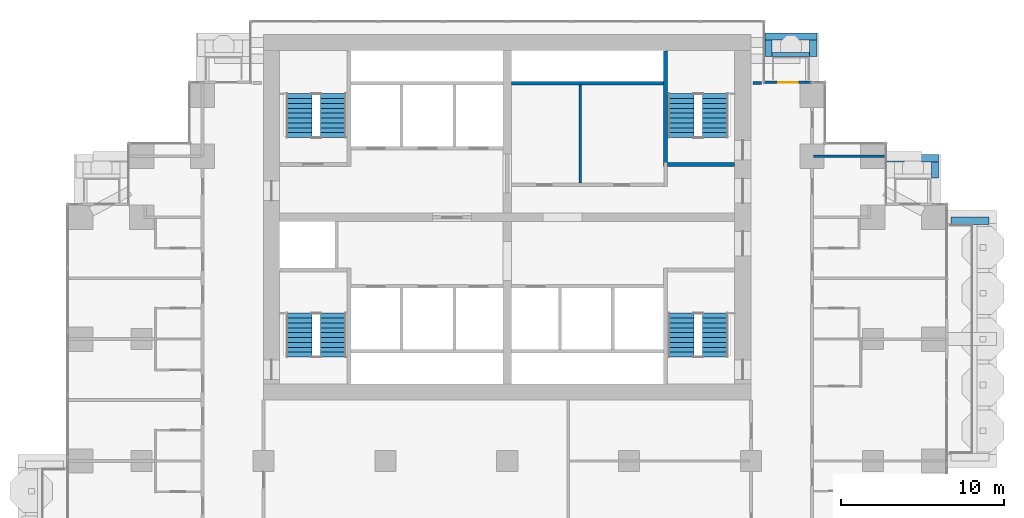
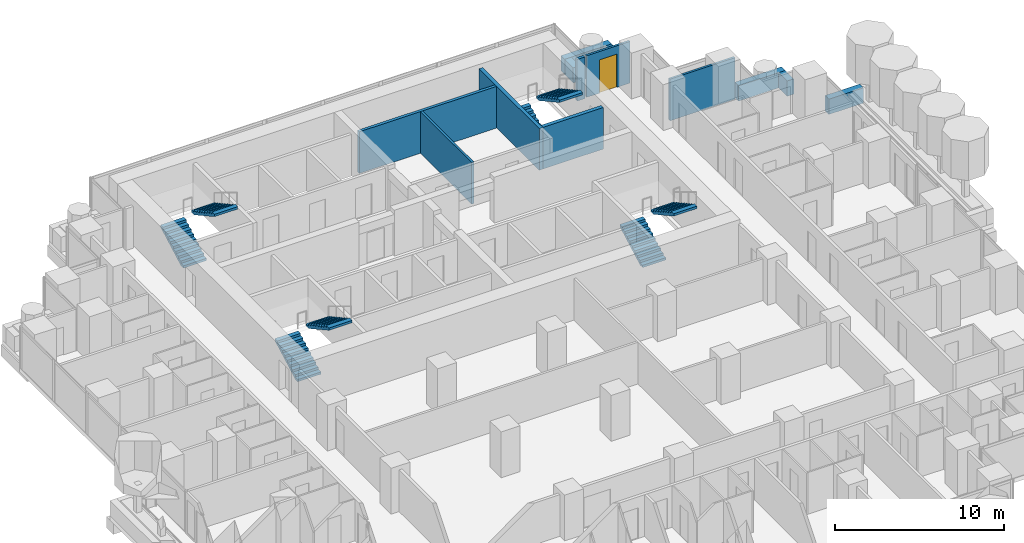
# One storey, part 17 of 20: 14 walls, 8 stair flights, 1 door, 1 opening, 4 elements without a shape of their own.
"""IFC4 building model written with IfcOpenShell, lengths in metres."""

from ifc_helpers import new_model, si_unit, direction, frame, frame_2d, origin, place, context, subcontext, project, spatial, polyline, rectangle, outline, extrude, material, layer, layer_set, type_object, element, fill, aggregate, save


model = new_model("IFC4")

# Units and contexts
model_context = context("Model", 3, precision=1e-05, world=origin(), true_north=direction((0.0, 1.0)))
body_context = subcontext(model_context, "Body", "Model", "MODEL_VIEW")
ifc_project = project(units=[si_unit("LENGTHUNIT", "METRE"), si_unit("AREAUNIT", "SQUARE_METRE"), si_unit("VOLUMEUNIT", "CUBIC_METRE"), si_unit("PLANEANGLEUNIT", "RADIAN"), si_unit("MASSUNIT", "GRAM", prefix="KILO")], contexts=[model_context])

# Site, building, storey
site_placement = place(None, origin())
site = spatial("IfcSite", under=ifc_project, at=site_placement, CompositionType="ELEMENT")
building_placement = place(site_placement, origin())
building = spatial("IfcBuilding", under=site, at=building_placement, Name="Pilkhan Gate Tower", CompositionType="ELEMENT")
storey_placement = place(building_placement, frame((0.0, 0.0, 85.699951171875)))
storey = spatial("IfcBuildingStorey", under=building, at=storey_placement, Name="L20", CompositionType="ELEMENT", Elevation=85.699951171875)

# Walls
ifc_material_1 = material(Name="Concrete C40/50", Category="concrete")
ifc_layer_1 = layer(ifc_material_1, 0.25)
ifc_layer_set_1 = layer_set([ifc_layer_1], Name="Balcony planter BP250")
wall_type_1 = type_object("IfcWallType", Name="Balcony planter BP250", PredefinedType="USERDEFINED", material=ifc_layer_set_1)
wall_1_placement = place(storey_placement, frame((91.300048828125, 92.52490234375, 0.0), z_axis=(0.0, 0.0, 1.0), x_axis=(1.0, 0.0, 0.0)))
element("IfcWall", 1, at=wall_1_placement, inside=storey, type_object=wall_type_1, Name="Balcony planter L20 N", ObjectType="BALCONY PLANTER", PredefinedType="USERDEFINED", context=body_context, shape_type="SweptSolid", body=[
    extrude(rectangle(XDim=2.300048828125, YDim=0.25, at=frame_2d((1.14990234375, 0.0))), origin(), (0.0, 0.0, 1.0), 1.0),
])
ifc_material_2 = material(Name="Board-marked Concrete C40/50", Category="concrete")
ifc_layer_2 = layer(ifc_material_2, 0.449951171875)
ifc_layer_set_2 = layer_set([ifc_layer_2], Name="Balcony planter lip BL450")
wall_type_2 = type_object("IfcWallType", Name="Balcony planter lip BL450", PredefinedType="USERDEFINED", material=ifc_layer_set_2)
wall_2_placement = place(storey_placement, frame((102.300048828125, 82.27490234375, 0.0), z_axis=(0.0, 0.0, 1.0), x_axis=(1.0, 0.0, 0.0)))
element("IfcWall", 2, at=wall_2_placement, inside=storey, type_object=wall_type_2, Name="Balcony planter L20 E", ObjectType="BALCONY PLANTER", PredefinedType="USERDEFINED", context=body_context, shape_type="SweptSolid", body=[
    extrude(rectangle(XDim=2.349853515625, YDim=0.449951171875, at=frame_2d((1.1748046875, 0.0))), origin(), (0.0, 0.0, 1.0), 1.10009765625),
])
wall_3_placement = place(storey_placement, frame((90.85009765625, 93.625, 0.0), z_axis=(0.0, 0.0, 1.0), x_axis=(1.0, 0.0, 0.0)))
element("IfcWall", 3, at=wall_3_placement, inside=storey, type_object=wall_type_2, Name="Balcony planter L20 N", ObjectType="BALCONY PLANTER", PredefinedType="USERDEFINED", context=body_context, shape_type="SweptSolid", body=[
    extrude(rectangle(XDim=3.199951171875, YDim=0.449951171875, at=frame_2d((1.60009765625, 0.0))), origin(), (0.0, 0.0, 1.0), 1.10009765625),
])
for number, where, z_axis, x_axis, name in (
    (4, (91.074951171875, 92.39990234375, 0.0), (0.0, 0.0, 1.0), (0.0, 1.0, 0.0), "Balcony planter L20 N"),
    (5, (93.824951171875, 92.39990234375, 0.0), (0.0, 0.0, 1.0), (0.0, 1.0, 0.0), "Balcony planter L20 N"),
):
    element("IfcWall", number, at=place(storey_placement, frame(where, z_axis=z_axis, x_axis=x_axis)), inside=storey, type_object=wall_type_2, Name=name, ObjectType="BALCONY PLANTER", PredefinedType="USERDEFINED", context=body_context, shape_type="SweptSolid", body=[
        extrude(rectangle(XDim=1.0, YDim=0.449951171875, at=frame_2d((0.5, 0.0))), origin(), (0.0, 0.0, 1.0), 1.10009765625),
    ])
wall_4_placement = place(storey_placement, frame((98.3701171875, 86.125, 0.0), z_axis=(0.0, 0.0, 1.0), x_axis=(1.0, 0.0, 0.0)))
element("IfcWall", 6, at=wall_4_placement, inside=storey, type_object=wall_type_2, Name="Balcony planter L20 N", ObjectType="BALCONY PLANTER", PredefinedType="USERDEFINED", context=body_context, shape_type="SweptSolid", body=[
    extrude(rectangle(XDim=3.179931640625, YDim=0.449951171875, at=frame_2d((1.58984375, 0.0))), origin(), (0.0, 0.0, 1.0), 1.10009765625),
])
wall_5_placement = place(storey_placement, frame((101.324951171875, 84.89990234375, 0.0), z_axis=(0.0, 0.0, 1.0), x_axis=(0.0, 1.0, 0.0)))
element("IfcWall", 7, at=wall_5_placement, inside=storey, type_object=wall_type_2, Name="Balcony planter L20 N", ObjectType="BALCONY PLANTER", PredefinedType="USERDEFINED", context=body_context, shape_type="SweptSolid", body=[
    extrude(rectangle(XDim=1.0, YDim=0.449951171875, at=frame_2d((0.5, 0.0))), origin(), (0.0, 0.0, 1.0), 1.10009765625),
])
ifc_material_3 = material(Name="Dense blockwork", Category="masonry")
ifc_layer_3 = layer(ifc_material_3, 0.199951171875)
ifc_layer_set_3 = layer_set([ifc_layer_3], Name="Corridor wall FW200")
wall_type_3 = type_object("IfcWallType", Name="Corridor wall FW200", PredefinedType="PARTITIONING", material=ifc_layer_set_3)
wall_6_placement = place(storey_placement, frame((90.1201171875, 90.764892578125, 0.0), z_axis=(0.0, 0.0, 1.0), x_axis=(1.0, 0.0, 0.0)))
element("IfcWall", 8, at=wall_6_placement, inside=storey, type_object=wall_type_3, Name="Partition L20", PredefinedType="PARTITIONING", context=body_context, shape_type="SweptSolid", body=[
    extrude(rectangle(XDim=0.52490234375, YDim=0.199951171875, at=frame_2d((0.262451171875, 0.0))), origin(), (0.0, 0.0, 1.0), 3.0),
])

# Wall, opening, door
ifc_material_4 = material(Name="Pale anodised aluminium, clear laminated glazing", Category="aluminium")
ifc_layer_4 = layer(ifc_material_4, 0.14990234375)
ifc_layer_set_4 = layer_set([ifc_layer_4], Name="Facade infill wall IW150")
wall_type_4 = type_object("IfcWallType", Name="Facade infill wall IW150", PredefinedType="SOLIDWALL", material=ifc_layer_set_4)
wall_7_placement = place(storey_placement, frame((90.794921875, 90.794921875, 0.0), z_axis=(0.0, 0.0, 1.0), x_axis=(1.0, 0.0, 0.0)))
wall_7 = element("IfcWall", 9, at=wall_7_placement, inside=storey, type_object=wall_type_4, Name="Infill wall L20 N", PredefinedType="SOLIDWALL", context=body_context, shape_type="SweptSolid", body=[
    extrude(rectangle(XDim=2.955078125, YDim=0.14990234375, at=frame_2d((1.4775390625, 0.0))), origin(), (0.0, 0.0, 1.0), 3.0),
])
opening_placement = place(wall_7_placement, frame((0.87744140625, 0.0, 0.0)))
opening = element("IfcOpeningElement", 10, at=opening_placement, cuts=wall_7, Name="Opening D1", PredefinedType="OPENING", context=body_context, shape_type="SweptSolid", body=[
    extrude(rectangle(XDim=1.199951171875, YDim=2.39990234375, at=frame_2d((0.60009765625, 1.199951171875))), frame((0.0, 0.0849609375, 0.0), z_axis=(0.0, -1.0, 0.0), x_axis=(1.0, 0.0, 0.0)), (0.0, 0.0, 1.0), 0.169921875),
])
ifc_material_5 = material(Name="Pale anodised aluminium, clear glazing", Category="aluminium")
door_type = type_object("IfcDoorType", Name="Balcony door D1 1200x2400", OperationType="SINGLE_SWING_LEFT", PredefinedType="DOOR", material=ifc_material_5)
door_placement = place(opening_placement, origin())
door = element("IfcDoor", 11, at=door_placement, inside=storey, type_object=door_type, Name="Balcony door L20", OperationType="SINGLE_SWING_LEFT", OverallHeight=2.39990234375, OverallWidth=1.199951171875, PredefinedType="DOOR", context=body_context, shape_type="SweptSolid", body=[
    extrude(rectangle(XDim=1.199951171875, YDim=2.39990234375, at=frame_2d((0.60009765625, 1.199951171875))), frame((0.0, 0.02490234375, 0.0), z_axis=(0.0, -1.0, 0.0), x_axis=(1.0, 0.0, 0.0)), (0.0, 0.0, 1.0), 0.050048828125),
])
fill(opening, door)

# Walls
ifc_layer_5 = layer(ifc_material_3, 0.199951171875)
ifc_layer_set_5 = layer_set([ifc_layer_5], Name="Lobby wall LW200")
wall_type_5 = type_object("IfcWallType", Name="Lobby wall LW200", PredefinedType="PARTITIONING", material=ifc_layer_set_5)
wall_8_placement = place(storey_placement, frame((75.260009765625, 90.75, 0.0), z_axis=(0.0, 0.0, 1.0), x_axis=(1.0, 0.0, 0.0)))
element("IfcWall", 12, at=wall_8_placement, inside=storey, type_object=wall_type_5, Name="Partition L20", PredefinedType="PARTITIONING", context=body_context, shape_type="SweptSolid", body=[
    extrude(rectangle(XDim=9.364990234375, YDim=0.199951171875, at=frame_2d((4.6826171875, 0.0))), origin(), (0.0, 0.0, 1.0), 3.0),
])
ifc_material_6 = material(Name="Blockwork partition, plastered both sides", Category="masonry")
ifc_layer_6 = layer(ifc_material_6, 0.14990234375)
ifc_layer_set_6 = layer_set([ifc_layer_6], Name="Partition PW150")
wall_type_6 = type_object("IfcWallType", Name="Partition PW150", PredefinedType="PARTITIONING", material=ifc_layer_set_6)
wall_9_placement = place(storey_placement, frame((93.85009765625, 86.25, 0.0), z_axis=(0.0, 0.0, 1.0), x_axis=(1.0, 0.0, 0.0)))
element("IfcWall", 13, at=wall_9_placement, inside=storey, type_object=wall_type_6, Name="Partition L20", PredefinedType="PARTITIONING", context=body_context, shape_type="SweptSolid", body=[
    extrude(rectangle(XDim=4.414794921875, YDim=0.14990234375, at=frame_2d((2.20751953125, 0.0))), origin(), (0.0, 0.0, 1.0), 3.0),
])
wall_10_placement = place(storey_placement, frame((79.5, 84.60009765625, 0.0), z_axis=(0.0, 0.0, 1.0), x_axis=(0.0, 1.0, 0.0)))
element("IfcWall", 14, at=wall_10_placement, inside=storey, type_object=wall_type_6, Name="Partition L20", PredefinedType="PARTITIONING", context=body_context, shape_type="SweptSolid", body=[
    extrude(rectangle(XDim=6.0498046875, YDim=0.14990234375, at=frame_2d((3.02490234375, 0.0))), origin(), (0.0, 0.0, 1.0), 3.0),
])
ifc_material_7 = material(Name="Reinforced blockwork, 120 minute fire resisting", Category="masonry")
ifc_layer_7 = layer(ifc_material_7, 0.25)
ifc_layer_set_7 = layer_set([ifc_layer_7], Name="Stair enclosure wall SE250")
wall_type_7 = type_object("IfcWallType", Name="Stair enclosure wall SE250", PredefinedType="PARTITIONING", material=ifc_layer_set_7)
wall_11_placement = place(storey_placement, frame((84.875, 85.75, 0.0), z_axis=(0.0, 0.0, 1.0), x_axis=(1.0, 0.0, 0.0)))
element("IfcWall", 15, at=wall_11_placement, inside=storey, type_object=wall_type_7, Name="Partition L20", PredefinedType="PARTITIONING", context=body_context, shape_type="SweptSolid", body=[
    extrude(rectangle(XDim=4.114990234375, YDim=0.25, at=frame_2d((2.0576171875, 0.0))), origin(), (0.0, 0.0, 1.0), 3.0),
])
wall_12_placement = place(storey_placement, frame((84.75, 85.625, 0.0), z_axis=(0.0, 0.0, 1.0), x_axis=(0.0, 1.0, 0.0)))
element("IfcWall", 16, at=wall_12_placement, inside=storey, type_object=wall_type_7, Name="Partition L20", PredefinedType="PARTITIONING", context=body_context, shape_type="SweptSolid", body=[
    extrude(rectangle(XDim=7.114990234375, YDim=0.25, at=frame_2d((3.5576171875, 0.0))), origin(), (0.0, 0.0, 1.0), 3.0),
])

# Stair, stair flights
ifc_material_8 = material(Name="Concrete C40/50 precast", Category="concrete")
stair_type_1 = type_object("IfcStairType", Name="Stair ST1 165x300", PredefinedType="HALF_TURN_STAIR", material=ifc_material_8)
stair_1_placement = place(storey_placement, origin())
stair_1 = element("IfcStair", 17, at=stair_1_placement, inside=storey, type_object=stair_type_1, Name="Stair ST1 L20", PredefinedType="HALF_TURN_STAIR")
stair_flight_type_1 = type_object("IfcStairFlightType", Name="Stair flight ST1 165x300x10", PredefinedType="STRAIGHT", material=ifc_material_8)
stair_flight_1_placement = place(storey_placement, frame((85.68994140625, 73.89990234375, 0.0), z_axis=(0.0, 0.0, 1.0), x_axis=(0.0, 1.0, 0.0)))
stair_flight_1 = element("IfcStairFlight", 18, at=stair_flight_1_placement, type_object=stair_flight_type_1, Name="ST1 flight 1", NumberOfRisers=10, NumberOfTreads=9, PredefinedType="STRAIGHT", RiserHeight=0.165, TreadLength=0.3, context=body_context, shape_type="SweptSolid", body=[
    extrude(outline(polyline([(0.0, 0.0), (0.0, 0.1650390625), (0.300048828125, 0.1650390625), (0.300048828125, 0.330078125), (0.60009765625, 0.330078125), (0.60009765625, 0.4951171875), (0.89990234375, 0.4951171875), (0.89990234375, 0.659912109375), (1.199951171875, 0.659912109375), (1.199951171875, 0.824951171875), (1.5, 0.824951171875), (1.5, 0.989990234375), (1.800048828125, 0.989990234375), (1.800048828125, 1.155029296875), (2.10009765625, 1.155029296875), (2.10009765625, 1.320068359375), (2.39990234375, 1.320068359375), (2.39990234375, 1.485107421875), (2.699951171875, 1.485107421875), (2.699951171875, 1.64990234375), (2.699951171875, 1.31396484375), (0.31103515625, 0.0), (0.0, 0.0)])), frame((0.0, 0.7900390625, 0.0), z_axis=(0.0, -1.0, 0.0), x_axis=(1.0, 0.0, 0.0)), (0.0, 0.0, 1.0), 1.580078125),
])
stair_flight_2_placement = place(storey_placement, frame((87.81005859375, 76.60009765625, 1.650146484375), z_axis=(0.0, 0.0, 1.0), x_axis=(0.0, -1.0, 0.0)))
stair_flight_2 = element("IfcStairFlight", 19, at=stair_flight_2_placement, type_object=stair_flight_type_1, Name="ST1 flight 2", NumberOfRisers=10, NumberOfTreads=9, PredefinedType="STRAIGHT", RiserHeight=0.165, TreadLength=0.3, context=body_context, shape_type="SweptSolid", body=[
    extrude(outline(polyline([(0.0, 0.0), (0.0, 0.1650390625), (0.300048828125, 0.1650390625), (0.300048828125, 0.330078125), (0.60009765625, 0.330078125), (0.60009765625, 0.4951171875), (0.89990234375, 0.4951171875), (0.89990234375, 0.659912109375), (1.199951171875, 0.659912109375), (1.199951171875, 0.824951171875), (1.5, 0.824951171875), (1.5, 0.989990234375), (1.800048828125, 0.989990234375), (1.800048828125, 1.155029296875), (2.10009765625, 1.155029296875), (2.10009765625, 1.320068359375), (2.39990234375, 1.320068359375), (2.39990234375, 1.485107421875), (2.699951171875, 1.485107421875), (2.699951171875, 1.64990234375), (2.699951171875, 1.31396484375), (0.31103515625, 0.0), (0.0, 0.0)])), frame((0.0, 0.7900390625, 0.0), z_axis=(0.0, -1.0, 0.0), x_axis=(1.0, 0.0, 0.0)), (0.0, 0.0, 1.0), 1.580078125),
])
aggregate(stair_1, [stair_flight_1, stair_flight_2])

stair_type_2 = type_object("IfcStairType", Name="Stair ST2 165x300", PredefinedType="HALF_TURN_STAIR", material=ifc_material_8)
stair_2_placement = place(storey_placement, origin())
stair_2 = element("IfcStair", 20, at=stair_2_placement, inside=storey, type_object=stair_type_2, Name="Stair ST2 L20", PredefinedType="HALF_TURN_STAIR")
stair_flight_type_2 = type_object("IfcStairFlightType", Name="Stair flight ST2 165x300x10", PredefinedType="STRAIGHT", material=ifc_material_8)
stair_flight_3_placement = place(storey_placement, frame((62.18994140625, 73.89990234375, 0.0), z_axis=(0.0, 0.0, 1.0), x_axis=(0.0, 1.0, 0.0)))
stair_flight_3 = element("IfcStairFlight", 21, at=stair_flight_3_placement, type_object=stair_flight_type_2, Name="ST2 flight 1", NumberOfRisers=10, NumberOfTreads=9, PredefinedType="STRAIGHT", RiserHeight=0.165, TreadLength=0.3, context=body_context, shape_type="SweptSolid", body=[
    extrude(outline(polyline([(0.0, 0.0), (0.0, 0.1650390625), (0.300048828125, 0.1650390625), (0.300048828125, 0.330078125), (0.60009765625, 0.330078125), (0.60009765625, 0.4951171875), (0.89990234375, 0.4951171875), (0.89990234375, 0.659912109375), (1.199951171875, 0.659912109375), (1.199951171875, 0.824951171875), (1.5, 0.824951171875), (1.5, 0.989990234375), (1.800048828125, 0.989990234375), (1.800048828125, 1.155029296875), (2.10009765625, 1.155029296875), (2.10009765625, 1.320068359375), (2.39990234375, 1.320068359375), (2.39990234375, 1.485107421875), (2.699951171875, 1.485107421875), (2.699951171875, 1.64990234375), (2.699951171875, 1.31396484375), (0.31103515625, 0.0), (0.0, 0.0)])), frame((0.0, 0.7900390625, 0.0), z_axis=(0.0, -1.0, 0.0), x_axis=(1.0, 0.0, 0.0)), (0.0, 0.0, 1.0), 1.580078125),
])
stair_flight_4_placement = place(storey_placement, frame((64.31005859375, 76.60009765625, 1.650146484375), z_axis=(0.0, 0.0, 1.0), x_axis=(0.0, -1.0, 0.0)))
stair_flight_4 = element("IfcStairFlight", 22, at=stair_flight_4_placement, type_object=stair_flight_type_2, Name="ST2 flight 2", NumberOfRisers=10, NumberOfTreads=9, PredefinedType="STRAIGHT", RiserHeight=0.165, TreadLength=0.3, context=body_context, shape_type="SweptSolid", body=[
    extrude(outline(polyline([(0.0, 0.0), (0.0, 0.1650390625), (0.300048828125, 0.1650390625), (0.300048828125, 0.330078125), (0.60009765625, 0.330078125), (0.60009765625, 0.4951171875), (0.89990234375, 0.4951171875), (0.89990234375, 0.659912109375), (1.199951171875, 0.659912109375), (1.199951171875, 0.824951171875), (1.5, 0.824951171875), (1.5, 0.989990234375), (1.800048828125, 0.989990234375), (1.800048828125, 1.155029296875), (2.10009765625, 1.155029296875), (2.10009765625, 1.320068359375), (2.39990234375, 1.320068359375), (2.39990234375, 1.485107421875), (2.699951171875, 1.485107421875), (2.699951171875, 1.64990234375), (2.699951171875, 1.31396484375), (0.31103515625, 0.0), (0.0, 0.0)])), frame((0.0, 0.7900390625, 0.0), z_axis=(0.0, -1.0, 0.0), x_axis=(1.0, 0.0, 0.0)), (0.0, 0.0, 1.0), 1.580078125),
])
aggregate(stair_2, [stair_flight_3, stair_flight_4])

stair_type_3 = type_object("IfcStairType", Name="Stair ST3 165x300", PredefinedType="HALF_TURN_STAIR", material=ifc_material_8)
stair_3_placement = place(storey_placement, origin())
stair_3 = element("IfcStair", 23, at=stair_3_placement, inside=storey, type_object=stair_type_3, Name="Stair ST3 L20", PredefinedType="HALF_TURN_STAIR")
stair_flight_type_3 = type_object("IfcStairFlightType", Name="Stair flight ST3 165x300x10", PredefinedType="STRAIGHT", material=ifc_material_8)
stair_flight_5_placement = place(storey_placement, frame((62.18994140625, 87.39990234375, 0.0), z_axis=(0.0, 0.0, 1.0), x_axis=(0.0, 1.0, 0.0)))
stair_flight_5 = element("IfcStairFlight", 24, at=stair_flight_5_placement, type_object=stair_flight_type_3, Name="ST3 flight 1", NumberOfRisers=10, NumberOfTreads=9, PredefinedType="STRAIGHT", RiserHeight=0.165, TreadLength=0.3, context=body_context, shape_type="SweptSolid", body=[
    extrude(outline(polyline([(0.0, 0.0), (0.0, 0.1650390625), (0.300048828125, 0.1650390625), (0.300048828125, 0.330078125), (0.60009765625, 0.330078125), (0.60009765625, 0.4951171875), (0.89990234375, 0.4951171875), (0.89990234375, 0.659912109375), (1.199951171875, 0.659912109375), (1.199951171875, 0.824951171875), (1.5, 0.824951171875), (1.5, 0.989990234375), (1.800048828125, 0.989990234375), (1.800048828125, 1.155029296875), (2.10009765625, 1.155029296875), (2.10009765625, 1.320068359375), (2.39990234375, 1.320068359375), (2.39990234375, 1.485107421875), (2.699951171875, 1.485107421875), (2.699951171875, 1.64990234375), (2.699951171875, 1.31396484375), (0.31103515625, 0.0), (0.0, 0.0)])), frame((0.0, 0.7900390625, 0.0), z_axis=(0.0, -1.0, 0.0), x_axis=(1.0, 0.0, 0.0)), (0.0, 0.0, 1.0), 1.580078125),
])
stair_flight_6_placement = place(storey_placement, frame((64.31005859375, 90.10009765625, 1.650146484375), z_axis=(0.0, 0.0, 1.0), x_axis=(0.0, -1.0, 0.0)))
stair_flight_6 = element("IfcStairFlight", 25, at=stair_flight_6_placement, type_object=stair_flight_type_3, Name="ST3 flight 2", NumberOfRisers=10, NumberOfTreads=9, PredefinedType="STRAIGHT", RiserHeight=0.165, TreadLength=0.3, context=body_context, shape_type="SweptSolid", body=[
    extrude(outline(polyline([(0.0, 0.0), (0.0, 0.1650390625), (0.300048828125, 0.1650390625), (0.300048828125, 0.330078125), (0.60009765625, 0.330078125), (0.60009765625, 0.4951171875), (0.89990234375, 0.4951171875), (0.89990234375, 0.659912109375), (1.199951171875, 0.659912109375), (1.199951171875, 0.824951171875), (1.5, 0.824951171875), (1.5, 0.989990234375), (1.800048828125, 0.989990234375), (1.800048828125, 1.155029296875), (2.10009765625, 1.155029296875), (2.10009765625, 1.320068359375), (2.39990234375, 1.320068359375), (2.39990234375, 1.485107421875), (2.699951171875, 1.485107421875), (2.699951171875, 1.64990234375), (2.699951171875, 1.31396484375), (0.31103515625, 0.0), (0.0, 0.0)])), frame((0.0, 0.7900390625, 0.0), z_axis=(0.0, -1.0, 0.0), x_axis=(1.0, 0.0, 0.0)), (0.0, 0.0, 1.0), 1.580078125),
])
aggregate(stair_3, [stair_flight_5, stair_flight_6])

stair_type_4 = type_object("IfcStairType", Name="Stair ST4 165x300", PredefinedType="HALF_TURN_STAIR", material=ifc_material_8)
stair_4_placement = place(storey_placement, origin())
stair_4 = element("IfcStair", 26, at=stair_4_placement, inside=storey, type_object=stair_type_4, Name="Stair ST4 L20", PredefinedType="HALF_TURN_STAIR")
stair_flight_type_4 = type_object("IfcStairFlightType", Name="Stair flight ST4 165x300x10", PredefinedType="STRAIGHT", material=ifc_material_8)
stair_flight_7_placement = place(storey_placement, frame((85.68994140625, 87.39990234375, 0.0), z_axis=(0.0, 0.0, 1.0), x_axis=(0.0, 1.0, 0.0)))
stair_flight_7 = element("IfcStairFlight", 27, at=stair_flight_7_placement, type_object=stair_flight_type_4, Name="ST4 flight 1", NumberOfRisers=10, NumberOfTreads=9, PredefinedType="STRAIGHT", RiserHeight=0.165, TreadLength=0.3, context=body_context, shape_type="SweptSolid", body=[
    extrude(outline(polyline([(0.0, 0.0), (0.0, 0.1650390625), (0.300048828125, 0.1650390625), (0.300048828125, 0.330078125), (0.60009765625, 0.330078125), (0.60009765625, 0.4951171875), (0.89990234375, 0.4951171875), (0.89990234375, 0.659912109375), (1.199951171875, 0.659912109375), (1.199951171875, 0.824951171875), (1.5, 0.824951171875), (1.5, 0.989990234375), (1.800048828125, 0.989990234375), (1.800048828125, 1.155029296875), (2.10009765625, 1.155029296875), (2.10009765625, 1.320068359375), (2.39990234375, 1.320068359375), (2.39990234375, 1.485107421875), (2.699951171875, 1.485107421875), (2.699951171875, 1.64990234375), (2.699951171875, 1.31396484375), (0.31103515625, 0.0), (0.0, 0.0)])), frame((0.0, 0.7900390625, 0.0), z_axis=(0.0, -1.0, 0.0), x_axis=(1.0, 0.0, 0.0)), (0.0, 0.0, 1.0), 1.580078125),
])
stair_flight_8_placement = place(storey_placement, frame((87.81005859375, 90.10009765625, 1.650146484375), z_axis=(0.0, 0.0, 1.0), x_axis=(0.0, -1.0, 0.0)))
stair_flight_8 = element("IfcStairFlight", 28, at=stair_flight_8_placement, type_object=stair_flight_type_4, Name="ST4 flight 2", NumberOfRisers=10, NumberOfTreads=9, PredefinedType="STRAIGHT", RiserHeight=0.165, TreadLength=0.3, context=body_context, shape_type="SweptSolid", body=[
    extrude(outline(polyline([(0.0, 0.0), (0.0, 0.1650390625), (0.300048828125, 0.1650390625), (0.300048828125, 0.330078125), (0.60009765625, 0.330078125), (0.60009765625, 0.4951171875), (0.89990234375, 0.4951171875), (0.89990234375, 0.659912109375), (1.199951171875, 0.659912109375), (1.199951171875, 0.824951171875), (1.5, 0.824951171875), (1.5, 0.989990234375), (1.800048828125, 0.989990234375), (1.800048828125, 1.155029296875), (2.10009765625, 1.155029296875), (2.10009765625, 1.320068359375), (2.39990234375, 1.320068359375), (2.39990234375, 1.485107421875), (2.699951171875, 1.485107421875), (2.699951171875, 1.64990234375), (2.699951171875, 1.31396484375), (0.31103515625, 0.0), (0.0, 0.0)])), frame((0.0, 0.7900390625, 0.0), z_axis=(0.0, -1.0, 0.0), x_axis=(1.0, 0.0, 0.0)), (0.0, 0.0, 1.0), 1.580078125),
])
aggregate(stair_4, [stair_flight_7, stair_flight_8])

save(model, "model.ifc")
